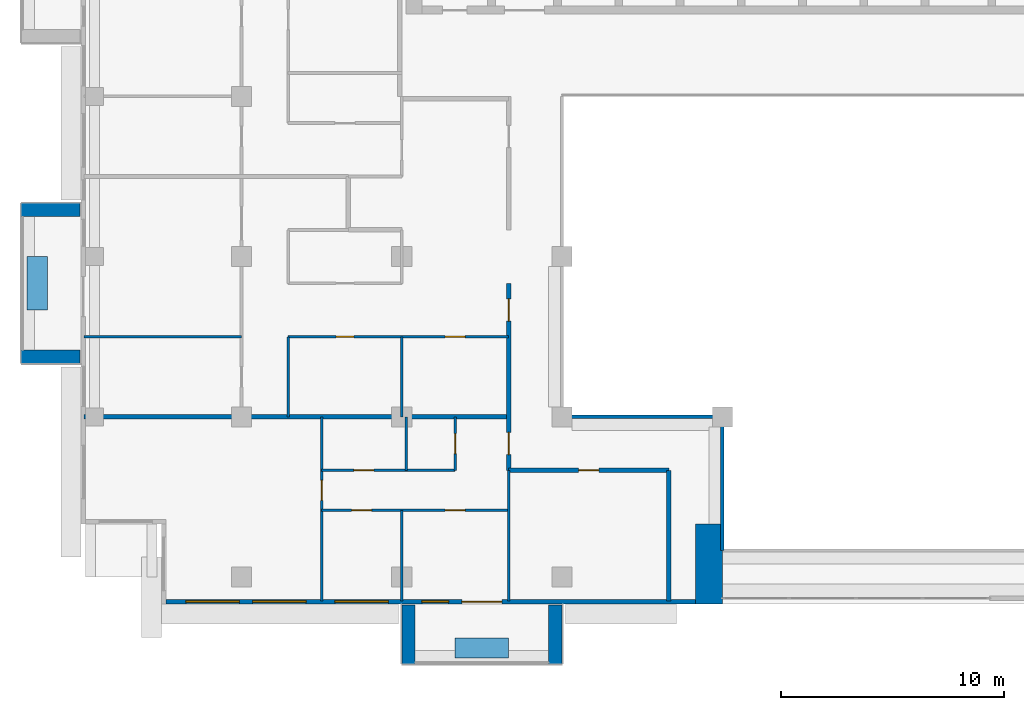
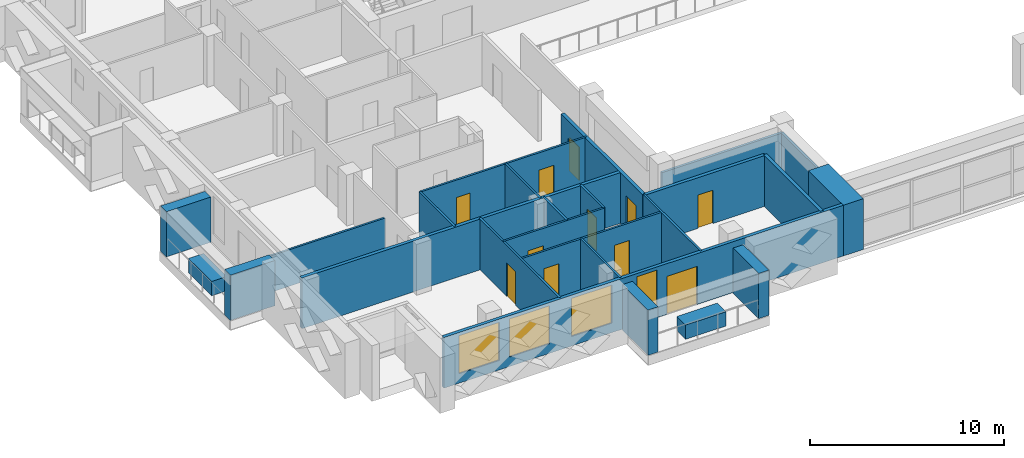
# One storey, part 6 of 20: 25 walls, 11 doors, 4 windows, 15 openings.
"""IFC4 building model written with IfcOpenShell, lengths in metres."""

from ifc_helpers import new_model, si_unit, direction, frame, frame_2d, origin, place, context, subcontext, project, spatial, rectangle, extrude, material, layer, layer_set, type_object, element, fill, save


model = new_model("IFC4")

# Units and contexts
model_context = context("Model", 3, precision=1e-05, world=origin(), true_north=direction((0.0, 1.0)))
body_context = subcontext(model_context, "Body", "Model", "MODEL_VIEW")
ifc_project = project(units=[si_unit("LENGTHUNIT", "METRE"), si_unit("AREAUNIT", "SQUARE_METRE"), si_unit("VOLUMEUNIT", "CUBIC_METRE"), si_unit("PLANEANGLEUNIT", "RADIAN"), si_unit("MASSUNIT", "GRAM", prefix="KILO")], contexts=[model_context])

# Site, building, storey
site_placement = place(None, origin())
site = spatial("IfcSite", under=ifc_project, at=site_placement, CompositionType="ELEMENT")
building_placement = place(site_placement, origin())
building = spatial("IfcBuilding", under=site, at=building_placement, Name="Saffron Iwan Residences", CompositionType="ELEMENT")
storey_placement = place(building_placement, frame((0.0, 0.0, 178.0)))
storey = spatial("IfcBuildingStorey", under=building, at=storey_placement, Name="L47", CompositionType="ELEMENT", Elevation=178.0)

# Walls
ifc_material_1 = material(Name="Fire-rated glazing", Category="glass")
ifc_layer_1 = layer(ifc_material_1, 0.14990234375)
ifc_layer_set_1 = layer_set([ifc_layer_1], Name="Fire-rated glazing")
wall_type_1 = type_object("IfcWallType", Name="Atrium glazed screen 150", PredefinedType="SOLIDWALL", material=ifc_layer_set_1)
wall_1_placement = place(storey_placement, frame((36.0, 48.0, 0.0), z_axis=(0.0, 0.0, 1.0), x_axis=(1.0, 0.0, 0.0)))
element("IfcWall", 1, at=wall_1_placement, inside=storey, type_object=wall_type_1, Name="W-L47-SCREEN-h48-36", PredefinedType="SOLIDWALL", context=body_context, shape_type="SweptSolid", body=[
    extrude(rectangle(XDim=7.199951171875, YDim=0.14990234375, at=frame_2d((3.60009765625, 0.0))), origin(), (0.0, 0.0, 1.0), 2.300048828125),
])
wall_2_placement = place(storey_placement, frame((43.199951171875, 42.0, 0.0), z_axis=(0.0, 0.0, 1.0), x_axis=(0.0, 1.0, 0.0)))
element("IfcWall", 2, at=wall_2_placement, inside=storey, type_object=wall_type_1, Name="W-L47-SCREEN-v43.2-42", PredefinedType="SOLIDWALL", context=body_context, shape_type="SweptSolid", body=[
    extrude(rectangle(XDim=6.0, YDim=0.14990234375, at=frame_2d((3.0, 0.0))), origin(), (0.0, 0.0, 1.0), 2.300048828125),
])
ifc_material_2 = material(Name="Concrete C50/60 white painted", Category="concrete")
ifc_layer_2 = layer(ifc_material_2, 0.60009765625)
ifc_layer_set_2 = layer_set([ifc_layer_2], Name="Concrete C50/60 white painted")
wall_type_2 = type_object("IfcWallType", Name="BALCONY FIN 600", PredefinedType="SOLIDWALL", material=ifc_layer_set_2)
for number, where, z_axis, x_axis, name in (
    (3, (14.35009765625, 57.300048828125, 0.0), (0.0, 0.0, 1.0), (-1.0, 0.0, 0.0), "Balcony fin L47 F8-1a"),
    (4, (14.35009765625, 50.699951171875, 0.0), (0.0, 0.0, 1.0), (-1.0, 0.0, 0.0), "Balcony fin L47 F8-1b"),
    (5, (29.10009765625, 39.550048828125, 0.0), (0.0, 0.0, 1.0), (0.0, -1.0, 0.0), "Balcony fin L47 11-0a"),
    (6, (35.699951171875, 39.550048828125, 0.0), (0.0, 0.0, 1.0), (0.0, -1.0, 0.0), "Balcony fin L47 11-0b"),
):
    element("IfcWall", number, at=place(storey_placement, frame(where, z_axis=z_axis, x_axis=x_axis)), inside=storey, type_object=wall_type_2, Name=name, PredefinedType="SOLIDWALL", context=body_context, shape_type="SweptSolid", body=[
        extrude(rectangle(XDim=2.650146484375, YDim=0.60009765625, at=frame_2d((1.3251953125, 0.0))), origin(), (0.0, 0.0, 1.0), 2.85009765625),
    ])
ifc_material_3 = material(Name="Concrete C35/45 white painted", Category="concrete")
ifc_layer_3 = layer(ifc_material_3, 0.14990234375)
ifc_layer_set_3 = layer_set([ifc_layer_3], Name="Concrete C35/45 white painted")
wall_type_3 = type_object("IfcWallType", Name="BALCONY PLANTER", PredefinedType="SOLIDWALL", material=ifc_layer_set_3)
wall_3_placement = place(storey_placement, frame((12.425048828125, 55.199951171875, 0.0), z_axis=(0.0, 0.0, 1.0), x_axis=(0.0, -1.0, 0.0)))
element("IfcWall", 7, at=wall_3_placement, inside=storey, type_object=wall_type_3, Name="PLANTER L47 F8-1", PredefinedType="SOLIDWALL", context=body_context, shape_type="SweptSolid", body=[
    extrude(rectangle(XDim=2.39990234375, YDim=0.89990234375, at=frame_2d((1.199951171875, 0.0))), origin(), (0.0, 0.0, 1.0), 0.89990234375),
])
wall_4_placement = place(storey_placement, frame((31.199951171875, 37.625, 0.0), z_axis=(0.0, 0.0, 1.0), x_axis=(1.0, 0.0, 0.0)))
element("IfcWall", 8, at=wall_4_placement, inside=storey, type_object=wall_type_3, Name="PLANTER L47 11-0", PredefinedType="SOLIDWALL", context=body_context, shape_type="SweptSolid", body=[
    extrude(rectangle(XDim=2.400146484375, YDim=0.89990234375, at=frame_2d((1.2001953125, 0.0))), origin(), (0.0, 0.0, 1.0), 0.89990234375),
])

# Wall, openings, door, windows
ifc_material_4 = material(Name="Concrete C40/50", Category="concrete")
ifc_layer_4 = layer(ifc_material_4, 0.199951171875)
ifc_layer_set_4 = layer_set([ifc_layer_4], Name="Concrete C40/50")
wall_type_4 = type_object("IfcWallType", Name="EXTERNAL WALL 200", PredefinedType="SOLIDWALL", material=ifc_layer_set_4)
wall_5_placement = place(storey_placement, frame((18.199951171875, 39.699951171875, 0.0), z_axis=(0.0, 0.0, 1.0), x_axis=(1.0, 0.0, 0.0)))
wall_5 = element("IfcWall", 9, at=wall_5_placement, inside=storey, type_object=wall_type_4, Name="External wall L47 F11.0", PredefinedType="SOLIDWALL", context=body_context, shape_type="SweptSolid", body=[
    extrude(rectangle(XDim=23.800048828125, YDim=0.199951171875, at=frame_2d((11.89990234375, 0.0))), origin(), (0.0, 0.0, 1.0), 3.199951171875),
])
opening_1_placement = place(wall_5_placement, frame((13.300048828125, 0.0, 0.0)))
opening_1 = element("IfcOpeningElement", 10, at=opening_1_placement, cuts=wall_5, Name="Opening BD1", PredefinedType="OPENING", context=body_context, shape_type="SweptSolid", body=[
    extrude(rectangle(XDim=1.800048828125, YDim=2.39990234375, at=frame_2d((0.89990234375, 1.199951171875))), frame((0.0, 0.10986328125, 0.0), z_axis=(0.0, -1.0, 0.0), x_axis=(1.0, 0.0, 0.0)), (0.0, 0.0, 1.0), 0.219970703125),
])
opening_2_placement = place(wall_5_placement, frame((0.89990234375, 0.0, 0.60009765625)))
opening_2 = element("IfcOpeningElement", 11, at=opening_2_placement, cuts=wall_5, Name="Opening W1", PredefinedType="OPENING", context=body_context, shape_type="SweptSolid", body=[
    extrude(rectangle(XDim=2.39990234375, YDim=2.39990234375, at=frame_2d((1.199951171875, 1.199951171875))), frame((0.0, 0.10986328125, 0.0), z_axis=(0.0, -1.0, 0.0), x_axis=(1.0, 0.0, 0.0)), (0.0, 0.0, 1.0), 0.219970703125),
])
opening_3_placement = place(wall_5_placement, frame((3.89990234375, 0.0, 0.60009765625)))
opening_3 = element("IfcOpeningElement", 12, at=opening_3_placement, cuts=wall_5, Name="Opening W1", PredefinedType="OPENING", context=body_context, shape_type="SweptSolid", body=[
    extrude(rectangle(XDim=2.39990234375, YDim=2.39990234375, at=frame_2d((1.199951171875, 1.199951171875))), frame((0.0, 0.10986328125, 0.0), z_axis=(0.0, -1.0, 0.0), x_axis=(1.0, 0.0, 0.0)), (0.0, 0.0, 1.0), 0.219970703125),
])
opening_4_placement = place(wall_5_placement, frame((7.60009765625, 0.0, 0.60009765625)))
opening_4 = element("IfcOpeningElement", 13, at=opening_4_placement, cuts=wall_5, Name="Opening W1", PredefinedType="OPENING", context=body_context, shape_type="SweptSolid", body=[
    extrude(rectangle(XDim=2.39990234375, YDim=2.39990234375, at=frame_2d((1.199951171875, 1.199951171875))), frame((0.0, 0.10986328125, 0.0), z_axis=(0.0, -1.0, 0.0), x_axis=(1.0, 0.0, 0.0)), (0.0, 0.0, 1.0), 0.219970703125),
])
opening_5_placement = place(wall_5_placement, frame((11.5, 0.0, 0.60009765625)))
opening_5 = element("IfcOpeningElement", 14, at=opening_5_placement, cuts=wall_5, Name="Opening W3", PredefinedType="OPENING", context=body_context, shape_type="SweptSolid", body=[
    extrude(rectangle(XDim=1.199951171875, YDim=2.39990234375, at=frame_2d((0.60009765625, 1.199951171875))), frame((0.0, 0.10986328125, 0.0), z_axis=(0.0, -1.0, 0.0), x_axis=(1.0, 0.0, 0.0)), (0.0, 0.0, 1.0), 0.219970703125),
])
ifc_material_5 = material(Name="Clear glass, laminated double glazed", Category="glass")
door_type_1 = type_object("IfcDoorType", Name="BALCONY DOOR 1800 x 2400", OperationType="DOUBLE_DOOR_SLIDING", PredefinedType="DOOR", material=ifc_material_5)
door_1_placement = place(opening_1_placement, origin())
door_1 = element("IfcDoor", 15, at=door_1_placement, inside=storey, type_object=door_type_1, Name="Balcony door L47 F11.0", OperationType="DOUBLE_DOOR_SLIDING", OverallHeight=2.39990234375, OverallWidth=1.800048828125, PredefinedType="DOOR", context=body_context, shape_type="SweptSolid", body=[
    extrude(rectangle(XDim=1.800048828125, YDim=2.39990234375, at=frame_2d((0.89990234375, 1.199951171875))), frame((0.0, 0.02490234375, 0.0), z_axis=(0.0, -1.0, 0.0), x_axis=(1.0, 0.0, 0.0)), (0.0, 0.0, 1.0), 0.050048828125),
])
fill(opening_1, door_1)
window_type_1 = type_object("IfcWindowType", Name="WINDOW 1200 x 2400", PartitioningType="SINGLE_PANEL", PredefinedType="WINDOW", material=ifc_material_5)
window_1_placement = place(opening_5_placement, origin())
window_1 = element("IfcWindow", 16, at=window_1_placement, inside=storey, type_object=window_type_1, Name="Window L47 F11.4", OverallHeight=2.39990234375, OverallWidth=1.199951171875, PartitioningType="SINGLE_PANEL", PredefinedType="WINDOW", context=body_context, shape_type="SweptSolid", body=[
    extrude(rectangle(XDim=1.199951171875, YDim=2.39990234375, at=frame_2d((0.60009765625, 1.199951171875))), frame((0.0, 0.030029296875, 0.0), z_axis=(0.0, -1.0, 0.0), x_axis=(1.0, 0.0, 0.0)), (0.0, 0.0, 1.0), 0.06005859375),
])
fill(opening_5, window_1)
window_type_2 = type_object("IfcWindowType", Name="WINDOW 2400 x 2400", PartitioningType="DOUBLE_PANEL_VERTICAL", PredefinedType="WINDOW", material=ifc_material_5)
window_2_placement = place(opening_2_placement, origin())
window_2 = element("IfcWindow", 17, at=window_2_placement, inside=storey, type_object=window_type_2, Name="Window L47 F11.1", OverallHeight=2.39990234375, OverallWidth=2.39990234375, PartitioningType="DOUBLE_PANEL_VERTICAL", PredefinedType="WINDOW", context=body_context, shape_type="SweptSolid", body=[
    extrude(rectangle(XDim=2.39990234375, YDim=2.39990234375, at=frame_2d((1.199951171875, 1.199951171875))), frame((0.0, 0.030029296875, 0.0), z_axis=(0.0, -1.0, 0.0), x_axis=(1.0, 0.0, 0.0)), (0.0, 0.0, 1.0), 0.06005859375),
])
fill(opening_2, window_2)
window_3_placement = place(opening_3_placement, origin())
window_3 = element("IfcWindow", 18, at=window_3_placement, inside=storey, type_object=window_type_2, Name="Window L47 F11.2", OverallHeight=2.39990234375, OverallWidth=2.39990234375, PartitioningType="DOUBLE_PANEL_VERTICAL", PredefinedType="WINDOW", context=body_context, shape_type="SweptSolid", body=[
    extrude(rectangle(XDim=2.39990234375, YDim=2.39990234375, at=frame_2d((1.199951171875, 1.199951171875))), frame((0.0, 0.030029296875, 0.0), z_axis=(0.0, -1.0, 0.0), x_axis=(1.0, 0.0, 0.0)), (0.0, 0.0, 1.0), 0.06005859375),
])
fill(opening_3, window_3)
window_4_placement = place(opening_4_placement, origin())
window_4 = element("IfcWindow", 19, at=window_4_placement, inside=storey, type_object=window_type_2, Name="Window L47 F11.3", OverallHeight=2.39990234375, OverallWidth=2.39990234375, PartitioningType="DOUBLE_PANEL_VERTICAL", PredefinedType="WINDOW", context=body_context, shape_type="SweptSolid", body=[
    extrude(rectangle(XDim=2.39990234375, YDim=2.39990234375, at=frame_2d((1.199951171875, 1.199951171875))), frame((0.0, 0.030029296875, 0.0), z_axis=(0.0, -1.0, 0.0), x_axis=(1.0, 0.0, 0.0)), (0.0, 0.0, 1.0), 0.06005859375),
])
fill(opening_4, window_4)

# Wall
ifc_material_6 = material(Name="Fire-rated gypsum board wall")
ifc_layer_5 = layer(ifc_material_6, 0.199951171875)
ifc_layer_set_5 = layer_set([ifc_layer_5], Name="Fire-rated gypsum board wall")
wall_type_5 = type_object("IfcWallType", Name="Flat demising wall 200", PredefinedType="SOLIDWALL", material=ifc_layer_set_5)
wall_6_placement = place(storey_placement, frame((14.52490234375, 48.0, 0.0), z_axis=(0.0, 0.0, 1.0), x_axis=(1.0, 0.0, 0.0)))
element("IfcWall", 20, at=wall_6_placement, inside=storey, type_object=wall_type_5, Name="W-L47-DEMISE-h48-14.525", PredefinedType="SOLIDWALL", context=body_context, shape_type="SweptSolid", body=[
    extrude(rectangle(XDim=19.0751953125, YDim=0.199951171875, at=frame_2d((9.53759765625, 0.0))), origin(), (0.0, 0.0, 1.0), 3.199951171875),
])

# Wall, openings, doors
ifc_material_7 = material(Name="Gypsum board partition")
ifc_layer_6 = layer(ifc_material_7, 0.1201171875)
ifc_layer_set_6 = layer_set([ifc_layer_6], Name="Gypsum board partition")
wall_type_6 = type_object("IfcWallType", Name="Flat partition 120", PredefinedType="PARTITIONING", material=ifc_layer_set_6)
wall_7_placement = place(storey_placement, frame((25.199951171875, 43.800048828125, 0.0), z_axis=(0.0, 0.0, 1.0), x_axis=(1.0, 0.0, 0.0)))
wall_7 = element("IfcWall", 21, at=wall_7_placement, inside=storey, type_object=wall_type_6, Name="W-L47-PART-h43.8-25.2", PredefinedType="PARTITIONING", context=body_context, shape_type="SweptSolid", body=[
    extrude(rectangle(XDim=8.400146484375, YDim=0.1201171875, at=frame_2d((4.2001953125, 0.0))), origin(), (0.0, 0.0, 1.0), 3.199951171875),
])
opening_6_placement = place(wall_7_placement, frame((1.35009765625, 0.0, 0.0)))
opening_6 = element("IfcOpeningElement", 22, at=opening_6_placement, cuts=wall_7, Name="Opening FD2", PredefinedType="OPENING", context=body_context, shape_type="SweptSolid", body=[
    extrude(rectangle(XDim=0.89990234375, YDim=2.10009765625, at=frame_2d((0.449951171875, 1.050048828125))), frame((0.0, 0.070068359375, 0.0), z_axis=(0.0, -1.0, 0.0), x_axis=(1.0, 0.0, 0.0)), (0.0, 0.0, 1.0), 0.14013671875),
])
opening_7_placement = place(wall_7_placement, frame((5.550048828125, 0.0, 0.0)))
opening_7 = element("IfcOpeningElement", 23, at=opening_7_placement, cuts=wall_7, Name="Opening FD2", PredefinedType="OPENING", context=body_context, shape_type="SweptSolid", body=[
    extrude(rectangle(XDim=0.89990234375, YDim=2.10009765625, at=frame_2d((0.449951171875, 1.050048828125))), frame((0.0, 0.070068359375, 0.0), z_axis=(0.0, -1.0, 0.0), x_axis=(1.0, 0.0, 0.0)), (0.0, 0.0, 1.0), 0.14013671875),
])
ifc_material_8 = material(Name="Timber door", Category="wood")
door_type_2 = type_object("IfcDoorType", Name="Flat door 900", OperationType="NOTDEFINED", PredefinedType="DOOR", material=ifc_material_8)
door_2_placement = place(opening_6_placement, origin())
door_2 = element("IfcDoor", 24, at=door_2_placement, inside=storey, type_object=door_type_2, Name="Door L47-003", OperationType="SINGLE_SWING_LEFT", OverallHeight=2.10009765625, OverallWidth=0.89990234375, PredefinedType="DOOR", context=body_context, shape_type="SweptSolid", body=[
    extrude(rectangle(XDim=0.89990234375, YDim=2.10009765625, at=frame_2d((0.449951171875, 1.050048828125))), frame((0.0, 0.02490234375, 0.0), z_axis=(0.0, -1.0, 0.0), x_axis=(1.0, 0.0, 0.0)), (0.0, 0.0, 1.0), 0.050048828125),
])
fill(opening_6, door_2)
door_3_placement = place(opening_7_placement, origin())
door_3 = element("IfcDoor", 25, at=door_3_placement, inside=storey, type_object=door_type_2, Name="Door L47-004", OperationType="SINGLE_SWING_LEFT", OverallHeight=2.10009765625, OverallWidth=0.89990234375, PredefinedType="DOOR", context=body_context, shape_type="SweptSolid", body=[
    extrude(rectangle(XDim=0.89990234375, YDim=2.10009765625, at=frame_2d((0.449951171875, 1.050048828125))), frame((0.0, 0.02490234375, 0.0), z_axis=(0.0, -1.0, 0.0), x_axis=(1.0, 0.0, 0.0)), (0.0, 0.0, 1.0), 0.050048828125),
])
fill(opening_7, door_3)

# Wall, opening, door
wall_8_placement = place(storey_placement, frame((25.199951171875, 45.60009765625, 0.0), z_axis=(0.0, 0.0, 1.0), x_axis=(1.0, 0.0, 0.0)))
wall_8 = element("IfcWall", 26, at=wall_8_placement, inside=storey, type_object=wall_type_6, Name="W-L47-PART-h45.6-25.2", PredefinedType="PARTITIONING", context=body_context, shape_type="SweptSolid", body=[
    extrude(rectangle(XDim=6.0, YDim=0.1201171875, at=frame_2d((3.0, 0.0))), origin(), (0.0, 0.0, 1.0), 3.199951171875),
])
opening_8_placement = place(wall_8_placement, frame((1.449951171875, 0.0, 0.0)))
opening_8 = element("IfcOpeningElement", 27, at=opening_8_placement, cuts=wall_8, Name="Opening FD2", PredefinedType="OPENING", context=body_context, shape_type="SweptSolid", body=[
    extrude(rectangle(XDim=0.89990234375, YDim=2.10009765625, at=frame_2d((0.449951171875, 1.050048828125))), frame((0.0, 0.070068359375, 0.0), z_axis=(0.0, -1.0, 0.0), x_axis=(1.0, 0.0, 0.0)), (0.0, 0.0, 1.0), 0.14013671875),
])
door_4_placement = place(opening_8_placement, origin())
door_4 = element("IfcDoor", 28, at=door_4_placement, inside=storey, type_object=door_type_2, Name="Door L47-005", OperationType="SINGLE_SWING_RIGHT", OverallHeight=2.10009765625, OverallWidth=0.89990234375, PredefinedType="DOOR", context=body_context, shape_type="SweptSolid", body=[
    extrude(rectangle(XDim=0.89990234375, YDim=2.10009765625, at=frame_2d((0.449951171875, 1.050048828125))), frame((0.0, 0.02490234375, 0.0), z_axis=(0.0, -1.0, 0.0), x_axis=(1.0, 0.0, 0.0)), (0.0, 0.0, 1.0), 0.050048828125),
])
fill(opening_8, door_4)

# Wall
wall_9_placement = place(storey_placement, frame((14.52490234375, 51.60009765625, 0.0), z_axis=(0.0, 0.0, 1.0), x_axis=(1.0, 0.0, 0.0)))
element("IfcWall", 29, at=wall_9_placement, inside=storey, type_object=wall_type_6, Name="W-L47-PART-h51.6-14.525", PredefinedType="PARTITIONING", context=body_context, shape_type="SweptSolid", body=[
    extrude(rectangle(XDim=7.0751953125, YDim=0.1201171875, at=frame_2d((3.53759765625, 0.0))), origin(), (0.0, 0.0, 1.0), 2.300048828125),
])

# Wall, openings, doors
wall_10_placement = place(storey_placement, frame((23.699951171875, 51.60009765625, 0.0), z_axis=(0.0, 0.0, 1.0), x_axis=(1.0, 0.0, 0.0)))
wall_10 = element("IfcWall", 30, at=wall_10_placement, inside=storey, type_object=wall_type_6, Name="W-L47-PART-h51.6-23.7", PredefinedType="PARTITIONING", context=body_context, shape_type="SweptSolid", body=[
    extrude(rectangle(XDim=9.900146484375, YDim=0.1201171875, at=frame_2d((4.9501953125, 0.0))), origin(), (0.0, 0.0, 1.0), 3.199951171875),
])
opening_9_placement = place(wall_10_placement, frame((2.14990234375, 0.0, 0.0)))
opening_9 = element("IfcOpeningElement", 31, at=opening_9_placement, cuts=wall_10, Name="Opening FD3", PredefinedType="OPENING", context=body_context, shape_type="SweptSolid", body=[
    extrude(rectangle(XDim=0.800048828125, YDim=2.10009765625, at=frame_2d((0.39990234375, 1.050048828125))), frame((0.0, 0.070068359375, 0.0), z_axis=(0.0, -1.0, 0.0), x_axis=(1.0, 0.0, 0.0)), (0.0, 0.0, 1.0), 0.14013671875),
])
opening_10_placement = place(wall_10_placement, frame((7.050048828125, 0.0, 0.0)))
opening_10 = element("IfcOpeningElement", 32, at=opening_10_placement, cuts=wall_10, Name="Opening FD2", PredefinedType="OPENING", context=body_context, shape_type="SweptSolid", body=[
    extrude(rectangle(XDim=0.89990234375, YDim=2.10009765625, at=frame_2d((0.449951171875, 1.050048828125))), frame((0.0, 0.070068359375, 0.0), z_axis=(0.0, -1.0, 0.0), x_axis=(1.0, 0.0, 0.0)), (0.0, 0.0, 1.0), 0.14013671875),
])
door_type_3 = type_object("IfcDoorType", Name="Bathroom door 800", OperationType="NOTDEFINED", PredefinedType="DOOR", material=ifc_material_8)
door_5_placement = place(opening_9_placement, origin())
door_5 = element("IfcDoor", 33, at=door_5_placement, inside=storey, type_object=door_type_3, Name="Door L47-011", OperationType="SINGLE_SWING_RIGHT", OverallHeight=2.10009765625, OverallWidth=0.800048828125, PredefinedType="DOOR", context=body_context, shape_type="SweptSolid", body=[
    extrude(rectangle(XDim=0.800048828125, YDim=2.10009765625, at=frame_2d((0.39990234375, 1.050048828125))), frame((0.0, 0.02490234375, 0.0), z_axis=(0.0, -1.0, 0.0), x_axis=(1.0, 0.0, 0.0)), (0.0, 0.0, 1.0), 0.050048828125),
])
fill(opening_9, door_5)
door_6_placement = place(opening_10_placement, origin())
door_6 = element("IfcDoor", 34, at=door_6_placement, inside=storey, type_object=door_type_2, Name="Door L47-013", OperationType="SINGLE_SWING_LEFT", OverallHeight=2.10009765625, OverallWidth=0.89990234375, PredefinedType="DOOR", context=body_context, shape_type="SweptSolid", body=[
    extrude(rectangle(XDim=0.89990234375, YDim=2.10009765625, at=frame_2d((0.449951171875, 1.050048828125))), frame((0.0, 0.02490234375, 0.0), z_axis=(0.0, -1.0, 0.0), x_axis=(1.0, 0.0, 0.0)), (0.0, 0.0, 1.0), 0.050048828125),
])
fill(opening_10, door_6)

# Wall
wall_11_placement = place(storey_placement, frame((23.699951171875, 48.0, 0.0), z_axis=(0.0, 0.0, 1.0), x_axis=(0.0, 1.0, 0.0)))
element("IfcWall", 35, at=wall_11_placement, inside=storey, type_object=wall_type_6, Name="W-L47-PART-v23.7-48", PredefinedType="PARTITIONING", context=body_context, shape_type="SweptSolid", body=[
    extrude(rectangle(XDim=3.60009765625, YDim=0.1201171875, at=frame_2d((1.800048828125, 0.0))), origin(), (0.0, 0.0, 1.0), 3.199951171875),
])

# Wall, opening, door
wall_12_placement = place(storey_placement, frame((25.199951171875, 39.72509765625, 0.0), z_axis=(0.0, 0.0, 1.0), x_axis=(0.0, 1.0, 0.0)))
wall_12 = element("IfcWall", 36, at=wall_12_placement, inside=storey, type_object=wall_type_6, Name="W-L47-PART-v25.2-39.725", PredefinedType="PARTITIONING", context=body_context, shape_type="SweptSolid", body=[
    extrude(rectangle(XDim=8.27490234375, YDim=0.1201171875, at=frame_2d((4.137451171875, 0.0))), origin(), (0.0, 0.0, 1.0), 3.199951171875),
])
opening_11_placement = place(wall_12_placement, frame((4.52490234375, 0.0, 0.0)))
opening_11 = element("IfcOpeningElement", 37, at=opening_11_placement, cuts=wall_12, Name="Opening FD2", PredefinedType="OPENING", context=body_context, shape_type="SweptSolid", body=[
    extrude(rectangle(XDim=0.89990234375, YDim=2.10009765625, at=frame_2d((0.449951171875, 1.050048828125))), frame((0.0, 0.070068359375, 0.0), z_axis=(0.0, -1.0, 0.0), x_axis=(1.0, 0.0, 0.0)), (0.0, 0.0, 1.0), 0.14013671875),
])
door_7_placement = place(opening_11_placement, origin())
door_7 = element("IfcDoor", 38, at=door_7_placement, inside=storey, type_object=door_type_2, Name="Door L47-002", OperationType="SINGLE_SWING_RIGHT", OverallHeight=2.10009765625, OverallWidth=0.89990234375, PredefinedType="DOOR", context=body_context, shape_type="SweptSolid", body=[
    extrude(rectangle(XDim=0.89990234375, YDim=2.10009765625, at=frame_2d((0.449951171875, 1.050048828125))), frame((0.0, 0.02490234375, 0.0), z_axis=(0.0, -1.0, 0.0), x_axis=(1.0, 0.0, 0.0)), (0.0, 0.0, 1.0), 0.050048828125),
])
fill(opening_11, door_7)

# Walls
wall_13_placement = place(storey_placement, frame((28.800048828125, 39.72509765625, 0.0), z_axis=(0.0, 0.0, 1.0), x_axis=(0.0, 1.0, 0.0)))
element("IfcWall", 39, at=wall_13_placement, inside=storey, type_object=wall_type_6, Name="W-L47-PART-v28.8-39.725", PredefinedType="PARTITIONING", context=body_context, shape_type="SweptSolid", body=[
    extrude(rectangle(XDim=4.074951171875, YDim=0.1201171875, at=frame_2d((2.03759765625, 0.0))), origin(), (0.0, 0.0, 1.0), 3.199951171875),
])
wall_14_placement = place(storey_placement, frame((28.800048828125, 48.0, 0.0), z_axis=(0.0, 0.0, 1.0), x_axis=(0.0, 1.0, 0.0)))
element("IfcWall", 40, at=wall_14_placement, inside=storey, type_object=wall_type_6, Name="W-L47-PART-v28.8-48", PredefinedType="PARTITIONING", context=body_context, shape_type="SweptSolid", body=[
    extrude(rectangle(XDim=3.60009765625, YDim=0.1201171875, at=frame_2d((1.800048828125, 0.0))), origin(), (0.0, 0.0, 1.0), 3.199951171875),
])
wall_15_placement = place(storey_placement, frame((29.0, 45.60009765625, 0.0), z_axis=(0.0, 0.0, 1.0), x_axis=(0.0, 1.0, 0.0)))
element("IfcWall", 41, at=wall_15_placement, inside=storey, type_object=wall_type_6, Name="W-L47-PART-v29-45.6", PredefinedType="PARTITIONING", context=body_context, shape_type="SweptSolid", body=[
    extrude(rectangle(XDim=2.39990234375, YDim=0.1201171875, at=frame_2d((1.199951171875, 0.0))), origin(), (0.0, 0.0, 1.0), 3.199951171875),
])

# Wall, opening, door
wall_16_placement = place(storey_placement, frame((31.199951171875, 45.60009765625, 0.0), z_axis=(0.0, 0.0, 1.0), x_axis=(0.0, 1.0, 0.0)))
wall_16 = element("IfcWall", 42, at=wall_16_placement, inside=storey, type_object=wall_type_6, Name="W-L47-PART-v31.2-45.6", PredefinedType="PARTITIONING", context=body_context, shape_type="SweptSolid", body=[
    extrude(rectangle(XDim=2.39990234375, YDim=0.1201171875, at=frame_2d((1.199951171875, 0.0))), origin(), (0.0, 0.0, 1.0), 3.199951171875),
])
opening_12_placement = place(wall_16_placement, frame((0.75, 0.0, 0.0)))
opening_12 = element("IfcOpeningElement", 43, at=opening_12_placement, cuts=wall_16, Name="Opening FD2", PredefinedType="OPENING", context=body_context, shape_type="SweptSolid", body=[
    extrude(rectangle(XDim=0.89990234375, YDim=2.10009765625, at=frame_2d((0.449951171875, 1.050048828125))), frame((0.0, 0.070068359375, 0.0), z_axis=(0.0, -1.0, 0.0), x_axis=(1.0, 0.0, 0.0)), (0.0, 0.0, 1.0), 0.14013671875),
])
door_8_placement = place(opening_12_placement, origin())
door_8 = element("IfcDoor", 44, at=door_8_placement, inside=storey, type_object=door_type_2, Name="Door L47-006", OperationType="SINGLE_SWING_LEFT", OverallHeight=2.10009765625, OverallWidth=0.89990234375, PredefinedType="DOOR", context=body_context, shape_type="SweptSolid", body=[
    extrude(rectangle(XDim=0.89990234375, YDim=2.10009765625, at=frame_2d((0.449951171875, 1.050048828125))), frame((0.0, 0.02490234375, 0.0), z_axis=(0.0, -1.0, 0.0), x_axis=(1.0, 0.0, 0.0)), (0.0, 0.0, 1.0), 0.050048828125),
])
fill(opening_12, door_8)

# Wall
wall_17_placement = place(storey_placement, frame((33.60009765625, 39.72509765625, 0.0), z_axis=(0.0, 0.0, 1.0), x_axis=(0.0, 1.0, 0.0)))
element("IfcWall", 45, at=wall_17_placement, inside=storey, type_object=wall_type_6, Name="W-L47-PART-v33.6-39.725", PredefinedType="PARTITIONING", context=body_context, shape_type="SweptSolid", body=[
    extrude(rectangle(XDim=5.875, YDim=0.1201171875, at=frame_2d((2.9375, 0.0))), origin(), (0.0, 0.0, 1.0), 3.199951171875),
])

# Wall, opening, door
ifc_layer_7 = layer(ifc_material_6, 0.199951171875)
ifc_layer_set_7 = layer_set([ifc_layer_7], Name="Fire-rated gypsum board wall")
wall_type_7 = type_object("IfcWallType", Name="Gallery wall 200", PredefinedType="SOLIDWALL", material=ifc_layer_set_7)
wall_18_placement = place(storey_placement, frame((33.60009765625, 45.60009765625, 0.0), z_axis=(0.0, 0.0, 1.0), x_axis=(1.0, 0.0, 0.0)))
wall_18 = element("IfcWall", 46, at=wall_18_placement, inside=storey, type_object=wall_type_7, Name="W-L47-CORR-h45.6-33.6", PredefinedType="SOLIDWALL", context=body_context, shape_type="SweptSolid", body=[
    extrude(rectangle(XDim=7.199951171875, YDim=0.199951171875, at=frame_2d((3.60009765625, 0.0))), origin(), (0.0, 0.0, 1.0), 3.199951171875),
])
opening_13_placement = place(wall_18_placement, frame((3.14990234375, 0.0, 0.0)))
opening_13 = element("IfcOpeningElement", 47, at=opening_13_placement, cuts=wall_18, Name="Opening FD2", PredefinedType="OPENING", context=body_context, shape_type="SweptSolid", body=[
    extrude(rectangle(XDim=0.89990234375, YDim=2.10009765625, at=frame_2d((0.449951171875, 1.050048828125))), frame((0.0, 0.10986328125, 0.0), z_axis=(0.0, -1.0, 0.0), x_axis=(1.0, 0.0, 0.0)), (0.0, 0.0, 1.0), 0.219970703125),
])
door_9_placement = place(opening_13_placement, origin())
door_9 = element("IfcDoor", 48, at=door_9_placement, inside=storey, type_object=door_type_2, Name="Door L47-007", OperationType="SINGLE_SWING_LEFT", OverallHeight=2.10009765625, OverallWidth=0.89990234375, PredefinedType="DOOR", context=body_context, shape_type="SweptSolid", body=[
    extrude(rectangle(XDim=0.89990234375, YDim=2.10009765625, at=frame_2d((0.449951171875, 1.050048828125))), frame((0.0, 0.02490234375, 0.0), z_axis=(0.0, -1.0, 0.0), x_axis=(1.0, 0.0, 0.0)), (0.0, 0.0, 1.0), 0.050048828125),
])
fill(opening_13, door_9)

# Wall, openings, doors
wall_19_placement = place(storey_placement, frame((33.60009765625, 45.60009765625, 0.0), z_axis=(0.0, 0.0, 1.0), x_axis=(0.0, 1.0, 0.0)))
wall_19 = element("IfcWall", 49, at=wall_19_placement, inside=storey, type_object=wall_type_7, Name="W-L47-CORR-v33.6-45.6", PredefinedType="SOLIDWALL", context=body_context, shape_type="SweptSolid", body=[
    extrude(rectangle(XDim=8.39990234375, YDim=0.199951171875, at=frame_2d((4.199951171875, 0.0))), origin(), (0.0, 0.0, 1.0), 3.199951171875),
])
opening_14_placement = place(wall_19_placement, frame((0.699951171875, 0.0, 0.0)))
opening_14 = element("IfcOpeningElement", 50, at=opening_14_placement, cuts=wall_19, Name="Opening FD1", PredefinedType="OPENING", context=body_context, shape_type="SweptSolid", body=[
    extrude(rectangle(XDim=1.0, YDim=2.10009765625, at=frame_2d((0.5, 1.050048828125))), frame((0.0, 0.10986328125, 0.0), z_axis=(0.0, -1.0, 0.0), x_axis=(1.0, 0.0, 0.0)), (0.0, 0.0, 1.0), 0.219970703125),
])
opening_15_placement = place(wall_19_placement, frame((6.699951171875, 0.0, 0.0)))
opening_15 = element("IfcOpeningElement", 51, at=opening_15_placement, cuts=wall_19, Name="Opening FD1", PredefinedType="OPENING", context=body_context, shape_type="SweptSolid", body=[
    extrude(rectangle(XDim=1.0, YDim=2.10009765625, at=frame_2d((0.5, 1.050048828125))), frame((0.0, 0.10986328125, 0.0), z_axis=(0.0, -1.0, 0.0), x_axis=(1.0, 0.0, 0.0)), (0.0, 0.0, 1.0), 0.219970703125),
])
ifc_material_9 = material(Name="Fire-rated timber door", Category="wood")
door_type_4 = type_object("IfcDoorType", Name="FD30S flat entrance door 1000", OperationType="NOTDEFINED", PredefinedType="DOOR", material=ifc_material_9)
door_10_placement = place(opening_14_placement, origin())
door_10 = element("IfcDoor", 52, at=door_10_placement, inside=storey, type_object=door_type_4, Name="Door L47-001", OperationType="SINGLE_SWING_LEFT", OverallHeight=2.10009765625, OverallWidth=1.0, PredefinedType="DOOR", context=body_context, shape_type="SweptSolid", body=[
    extrude(rectangle(XDim=1.0, YDim=2.10009765625, at=frame_2d((0.5, 1.050048828125))), frame((0.0, 0.02490234375, 0.0), z_axis=(0.0, -1.0, 0.0), x_axis=(1.0, 0.0, 0.0)), (0.0, 0.0, 1.0), 0.050048828125),
])
fill(opening_14, door_10)
door_11_placement = place(opening_15_placement, origin())
door_11 = element("IfcDoor", 53, at=door_11_placement, inside=storey, type_object=door_type_4, Name="Door L47-008", OperationType="SINGLE_SWING_RIGHT", OverallHeight=2.10009765625, OverallWidth=1.0, PredefinedType="DOOR", context=body_context, shape_type="SweptSolid", body=[
    extrude(rectangle(XDim=1.0, YDim=2.10009765625, at=frame_2d((0.5, 1.050048828125))), frame((0.0, 0.02490234375, 0.0), z_axis=(0.0, -1.0, 0.0), x_axis=(1.0, 0.0, 0.0)), (0.0, 0.0, 1.0), 0.050048828125),
])
fill(opening_15, door_11)

# Walls
wall_20_placement = place(storey_placement, frame((40.800048828125, 39.72509765625, 0.0), z_axis=(0.0, 0.0, 1.0), x_axis=(0.0, 1.0, 0.0)))
element("IfcWall", 54, at=wall_20_placement, inside=storey, type_object=wall_type_7, Name="W-L47-CORR-v40.8-39.725", PredefinedType="SOLIDWALL", context=body_context, shape_type="SweptSolid", body=[
    extrude(rectangle(XDim=5.875, YDim=0.199951171875, at=frame_2d((2.9375, 0.0))), origin(), (0.0, 0.0, 1.0), 3.199951171875),
])
ifc_material_10 = material(Name="Concrete C50/60", Category="concrete")
ifc_layer_8 = layer(ifc_material_10, 1.199951171875)
ifc_layer_set_8 = layer_set([ifc_layer_8], Name="Concrete C50/60")
wall_type_8 = type_object("IfcWallType", Name="WALL IWAN PIER 1200 C50/60 3200 HIGH", PredefinedType="SHEAR", material=ifc_layer_set_8)
wall_21_placement = place(storey_placement, frame((42.60009765625, 39.60009765625, 0.0), z_axis=(0.0, 0.0, 1.0), x_axis=(0.0, 1.0, 0.0)))
element("IfcWall", 55, at=wall_21_placement, inside=storey, type_object=wall_type_8, Name="IWAN PIER", PredefinedType="SHEAR", context=body_context, shape_type="SweptSolid", body=[
    extrude(rectangle(XDim=3.599853515625, YDim=1.199951171875, at=frame_2d((1.7998046875, 0.0))), origin(), (0.0, 0.0, 1.0), 3.199951171875),
])

save(model, "model.ifc")
